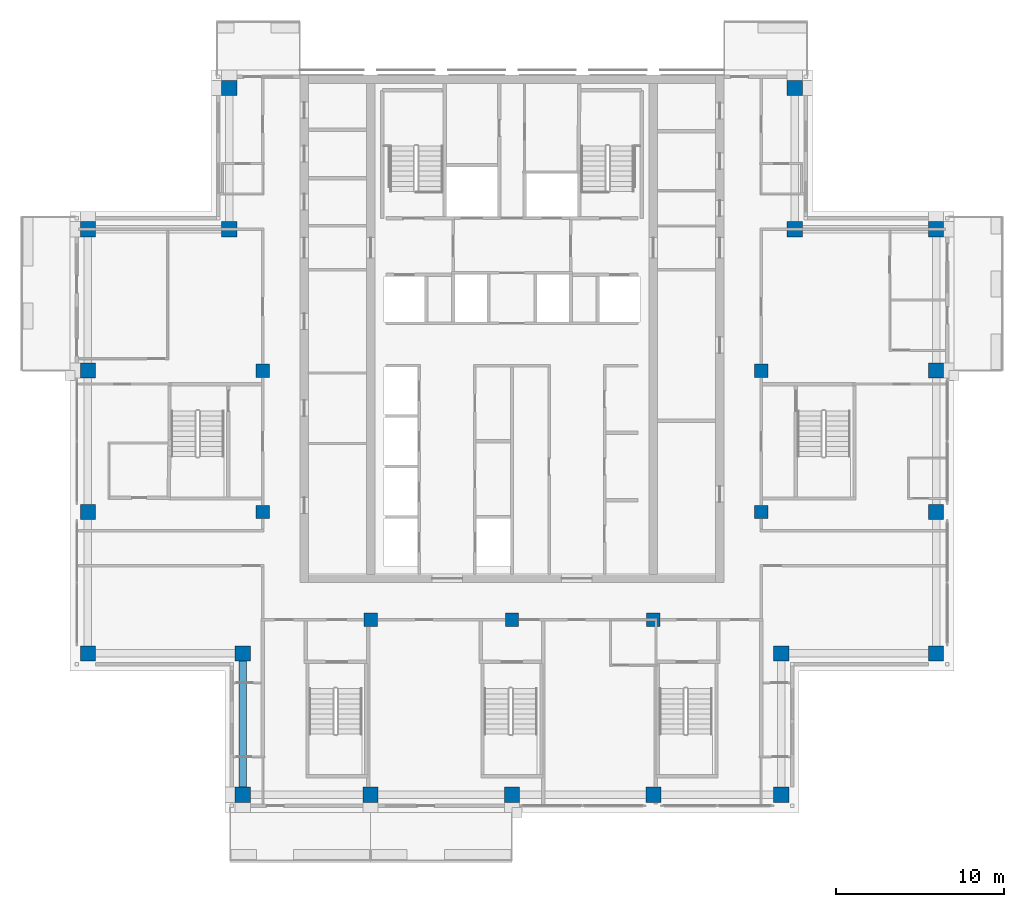
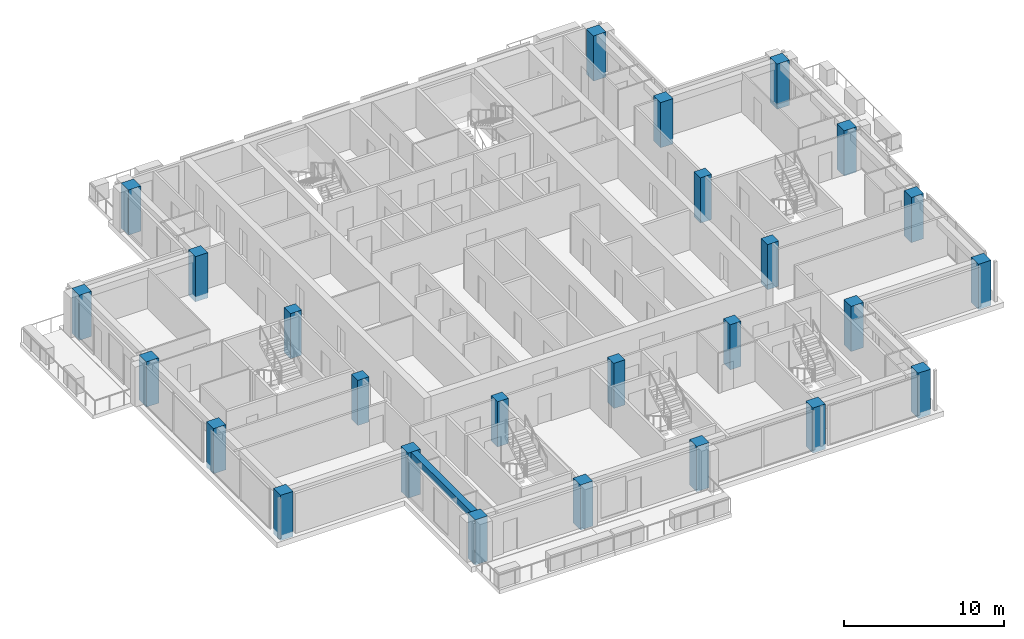
# One storey, part 1 of 15: 26 columns, 1 beam.
"""IFC4 building model written with IfcOpenShell, lengths in metres."""

from ifc_helpers import new_model, si_unit, direction, frame, origin, origin_2d, place, context, subcontext, project, spatial, rectangle, extrude, material, material_profile, profile_set, type_object, element, save


model = new_model("IFC4")

# Units and contexts
model_context = context("Model", 3, precision=1e-05, world=origin(), true_north=direction((0.0, 1.0)))
body_context = subcontext(model_context, "Body", "Model", "MODEL_VIEW")
ifc_project = project(units=[si_unit("LENGTHUNIT", "METRE"), si_unit("AREAUNIT", "SQUARE_METRE"), si_unit("VOLUMEUNIT", "CUBIC_METRE"), si_unit("PLANEANGLEUNIT", "RADIAN"), si_unit("MASSUNIT", "GRAM", prefix="KILO")], contexts=[model_context])

# Site, building, storey
site_placement = place(None, origin())
site = spatial("IfcSite", under=ifc_project, at=site_placement, CompositionType="ELEMENT")
building_placement = place(site_placement, origin())
building = spatial("IfcBuilding", under=site, at=building_placement, Name="Vermilion Ogive Tower", CompositionType="ELEMENT")
storey_placement = place(building_placement, frame((0.0, 0.0, 237.25)))
storey = spatial("IfcBuildingStorey", under=building, at=storey_placement, Name="L62", CompositionType="ELEMENT", Elevation=237.25)

# Columns
ifc_material_1 = material(Name="Concrete B60", Category="concrete")
ifc_material_profile_1 = material_profile(ifc_material_1, rectangle(XDim=0.89990234375, YDim=0.89990234375, at=origin_2d()), Name="900 x 900")
ifc_profile_set_1 = profile_set([ifc_material_profile_1], Name="Concrete B60")
column_type_1 = type_object("IfcColumnType", Name="Perimeter column 900 x 900 B60", PredefinedType="COLUMN", material=ifc_profile_set_1)
for number, where, z_axis, x_axis, name in (
    (1, (-16.0, -21.0, -0.39990234375), (0.0, 0.0, 1.0), (1.0, 0.0, 0.0), "COL-L62-P-0160-210"),
    (2, (-8.39990234375, -21.0, -0.39990234375), (0.0, 0.0, 1.0), (1.0, 0.0, 0.0), "COL-L62-P-0084-210"),
    (3, (0.0, -21.0, -0.39990234375), (0.0, 0.0, 1.0), (1.0, 0.0, 0.0), "COL-L62-P+0000-210"),
    (4, (8.39990234375, -21.0, -0.39990234375), (0.0, 0.0, 1.0), (1.0, 0.0, 0.0), "COL-L62-P+0084-210"),
    (5, (16.0, -21.0, -0.39990234375), (0.0, 0.0, 1.0), (1.0, 0.0, 0.0), "COL-L62-P+0160-210"),
    (6, (-25.199951171875, -12.60009765625, -0.39990234375), (0.0, 0.0, 1.0), (1.0, 0.0, 0.0), "COL-L62-P-0252-126"),
    (7, (-16.0, -12.60009765625, -0.39990234375), (0.0, 0.0, 1.0), (1.0, 0.0, 0.0), "COL-L62-P-0160-126"),
    (8, (16.0, -12.60009765625, -0.39990234375), (0.0, 0.0, 1.0), (1.0, 0.0, 0.0), "COL-L62-P+0160-126"),
    (9, (25.199951171875, -12.60009765625, -0.39990234375), (0.0, 0.0, 1.0), (1.0, 0.0, 0.0), "COL-L62-P+0252-126"),
    (10, (-25.199951171875, -4.199951171875, -0.39990234375), (0.0, 0.0, 1.0), (1.0, 0.0, 0.0), "COL-L62-P-0252-042"),
    (11, (25.199951171875, -4.199951171875, -0.39990234375), (0.0, 0.0, 1.0), (1.0, 0.0, 0.0), "COL-L62-P+0252-042"),
    (12, (-25.199951171875, 4.199951171875, -0.39990234375), (0.0, 0.0, 1.0), (1.0, 0.0, 0.0), "COL-L62-P-0252+042"),
    (13, (25.199951171875, 4.199951171875, -0.39990234375), (0.0, 0.0, 1.0), (1.0, 0.0, 0.0), "COL-L62-P+0252+042"),
    (14, (-25.199951171875, 12.60009765625, -0.39990234375), (0.0, 0.0, 1.0), (1.0, 0.0, 0.0), "COL-L62-P-0252+126"),
    (15, (-16.800048828125, 12.60009765625, -0.39990234375), (0.0, 0.0, 1.0), (1.0, 0.0, 0.0), "COL-L62-P-0168+126"),
    (16, (16.800048828125, 12.60009765625, -0.39990234375), (0.0, 0.0, 1.0), (1.0, 0.0, 0.0), "COL-L62-P+0168+126"),
    (17, (25.199951171875, 12.60009765625, -0.39990234375), (0.0, 0.0, 1.0), (1.0, 0.0, 0.0), "COL-L62-P+0252+126"),
    (18, (-16.800048828125, 21.0, -0.39990234375), (0.0, 0.0, 1.0), (1.0, 0.0, 0.0), "COL-L62-P-0168+210"),
    (19, (16.800048828125, 21.0, -0.39990234375), (0.0, 0.0, 1.0), (1.0, 0.0, 0.0), "COL-L62-P+0168+210"),
):
    element("IfcColumn", number, at=place(storey_placement, frame(where, z_axis=z_axis, x_axis=x_axis)), inside=storey, type_object=column_type_1, Name=name, PredefinedType="COLUMN", context=body_context, shape_type="SweptSolid", body=[
        extrude(rectangle(XDim=0.89990234375, YDim=0.89990234375, at=origin_2d()), origin(), (0.0, 0.0, 1.0), 3.449951171875),
    ])
ifc_material_2 = material(Name="Concrete B60", Category="concrete")
ifc_material_profile_2 = material_profile(ifc_material_2, rectangle(XDim=0.800048828125, YDim=0.800048828125, at=origin_2d()), Name="800 x 800")
ifc_profile_set_2 = profile_set([ifc_material_profile_2], Name="Concrete B60")
column_type_2 = type_object("IfcColumnType", Name="Ring column 800 x 800 B60", PredefinedType="COLUMN", material=ifc_profile_set_2)
for number, where, z_axis, x_axis, name in (
    (20, (-8.39990234375, -10.60009765625, -0.39990234375), (0.0, 0.0, 1.0), (1.0, 0.0, 0.0), "COL-L62-R-0084-106"),
    (21, (0.0, -10.60009765625, -0.39990234375), (0.0, 0.0, 1.0), (1.0, 0.0, 0.0), "COL-L62-R+0000-106"),
    (22, (8.39990234375, -10.60009765625, -0.39990234375), (0.0, 0.0, 1.0), (1.0, 0.0, 0.0), "COL-L62-R+0084-106"),
    (23, (-14.800048828125, -4.199951171875, -0.39990234375), (0.0, 0.0, 1.0), (1.0, 0.0, 0.0), "COL-L62-R-0148-042"),
    (24, (14.800048828125, -4.199951171875, -0.39990234375), (0.0, 0.0, 1.0), (1.0, 0.0, 0.0), "COL-L62-R+0148-042"),
    (25, (-14.800048828125, 4.199951171875, -0.39990234375), (0.0, 0.0, 1.0), (1.0, 0.0, 0.0), "COL-L62-R-0148+042"),
    (26, (14.800048828125, 4.199951171875, -0.39990234375), (0.0, 0.0, 1.0), (1.0, 0.0, 0.0), "COL-L62-R+0148+042"),
):
    element("IfcColumn", number, at=place(storey_placement, frame(where, z_axis=z_axis, x_axis=x_axis)), inside=storey, type_object=column_type_2, Name=name, PredefinedType="COLUMN", context=body_context, shape_type="SweptSolid", body=[
        extrude(rectangle(XDim=0.800048828125, YDim=0.800048828125, at=origin_2d()), origin(), (0.0, 0.0, 1.0), 3.449951171875),
    ])

# Beam
ifc_material_3 = material(Name="Concrete B45", Category="concrete")
ifc_material_profile_3 = material_profile(ifc_material_3, rectangle(XDim=0.449951171875, YDim=0.550048828125, at=origin_2d()), Name="450 x 550")
ifc_profile_set_3 = profile_set([ifc_material_profile_3], Name="Concrete B45")
beam_type = type_object("IfcBeamType", Name="Edge beam 450 x 550 B45", PredefinedType="BEAM", material=ifc_profile_set_3)
beam_placement = place(storey_placement, frame((-16.0, -13.050048828125, 2.77490234375), z_axis=(0.0, -1.0, 0.0), x_axis=(1.0, 0.0, 0.0)))
element("IfcBeam", 27, at=beam_placement, inside=storey, type_object=beam_type, Name="L62-EB-18", PredefinedType="BEAM", context=body_context, shape_type="SweptSolid", body=[
    extrude(rectangle(XDim=0.449951171875, YDim=0.550048828125, at=origin_2d()), origin(), (0.0, 0.0, 1.0), 7.5),
])

save(model, "model.ifc")
